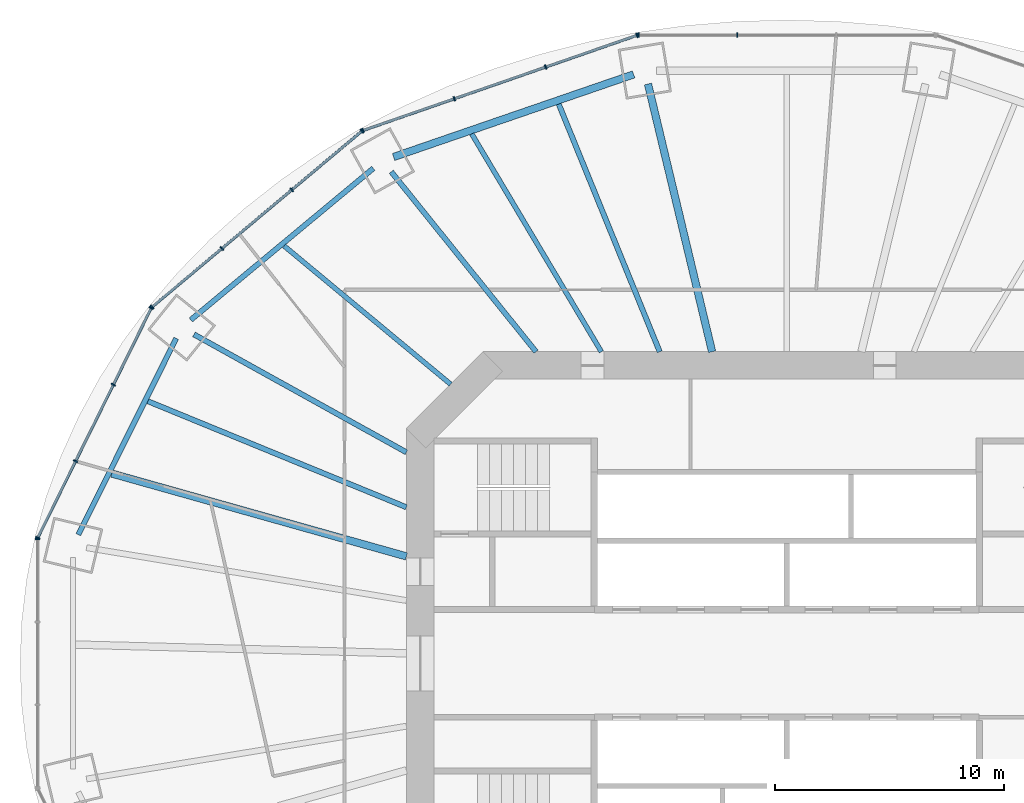
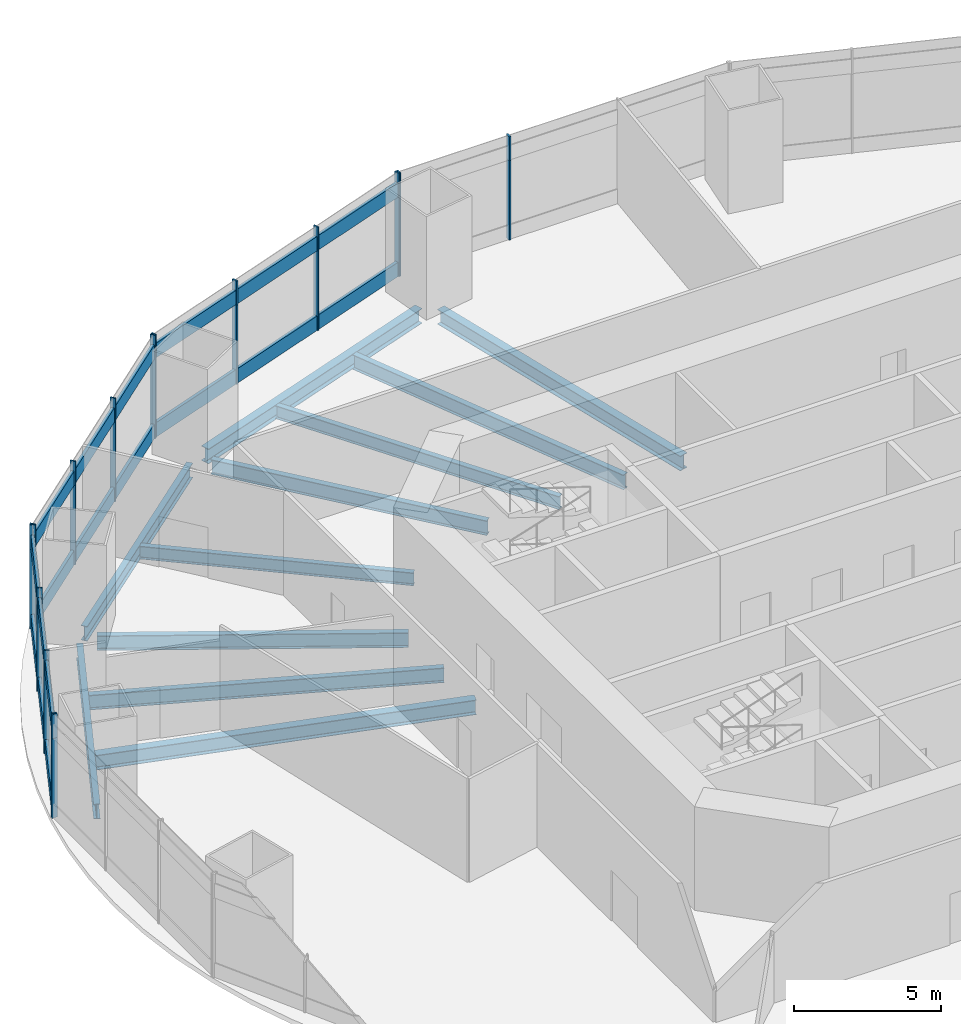
# One storey, part 6 of 17: 36 members, 11 beams, 10 elements without a shape of their own.
"""IFC4 building model written with IfcOpenShell, lengths in metres."""

from ifc_helpers import new_model, si_unit, direction, frame, origin, origin_2d, place, context, subcontext, project, spatial, rectangle, i_section, extrude, material, material_profile, profile_set, type_object, element, aggregate, save


model = new_model("IFC4")

# Units and contexts
model_context = context("Model", 3, precision=1e-05, world=origin(), true_north=direction((0.0, 1.0)))
body_context = subcontext(model_context, "Body", "Model", "MODEL_VIEW")
ifc_project = project(units=[si_unit("LENGTHUNIT", "METRE"), si_unit("AREAUNIT", "SQUARE_METRE"), si_unit("VOLUMEUNIT", "CUBIC_METRE"), si_unit("PLANEANGLEUNIT", "RADIAN"), si_unit("MASSUNIT", "GRAM", prefix="KILO")], contexts=[model_context])

# Site, building, storey
site_placement = place(None, origin())
site = spatial("IfcSite", under=ifc_project, at=site_placement, CompositionType="ELEMENT")
building_placement = place(site_placement, origin())
building = spatial("IfcBuilding", under=site, at=building_placement, Name="Marenthal Gate Tower", CompositionType="ELEMENT")
storey_placement = place(building_placement, frame((0.0, 0.0, 145.050048828125)))
storey = spatial("IfcBuildingStorey", under=building, at=storey_placement, Name="L31", CompositionType="ELEMENT", Elevation=145.050048828125)

# Curtain wall, members
ifc_material_1 = material(Name="Aluminium and glass", Category="aluminium")
curtain_wall_type_1 = type_object("IfcCurtainWallType", Name="Curtain wall amenity", PredefinedType="NOTDEFINED", material=ifc_material_1)
curtain_wall_1_placement = place(storey_placement, origin())
curtain_wall_1 = element("IfcCurtainWall", 1, at=curtain_wall_1_placement, inside=storey, type_object=curtain_wall_type_1, Name="Curtain wall L31 bay 4", PredefinedType="NOTDEFINED")
ifc_material_2 = material(Name="Aluminium", Category="aluminium")
ifc_material_profile_1 = material_profile(ifc_material_2, rectangle(XDim=0.199951171875, YDim=0.06005859375, at=origin_2d()), Name="60x200 aluminium mullion")
ifc_profile_set_1 = profile_set([ifc_material_profile_1], Name="Aluminium")
member_type_1 = type_object("IfcMemberType", Name="Mullion 60x200 amenity", PredefinedType="MULLION", material=ifc_profile_set_1)
member_1_placement = place(storey_placement, frame((-2.158203125, 27.419921875, 0.0), z_axis=(0.0, 0.0, 1.0), x_axis=(0.0, -1.0, 0.0)))
member_1 = element("IfcMember", 2, at=member_1_placement, type_object=member_type_1, Name="Mullion L31 bay 4.3", PredefinedType="MULLION", context=body_context, shape_type="SweptSolid", body=[
    extrude(rectangle(XDim=0.199951171875, YDim=0.06005859375, at=origin_2d()), origin(), (0.0, 0.0, 1.0), 3.300048828125),
])
member_2_placement = place(storey_placement, frame((-6.474609375, 27.419921875, 0.0), z_axis=(0.0, 0.0, 1.0), x_axis=(0.0, -1.0, 0.0)))
member_2 = element("IfcMember", 3, at=member_2_placement, type_object=member_type_1, Name="Mullion L31 bay 4.4", PredefinedType="MULLION", context=body_context, shape_type="SweptSolid", body=[
    extrude(rectangle(XDim=0.199951171875, YDim=0.06005859375, at=origin_2d()), origin(), (0.0, 0.0, 1.0), 3.300048828125),
])
aggregate(curtain_wall_1, [member_1, member_2])

curtain_wall_2_placement = place(storey_placement, origin())
curtain_wall_2 = element("IfcCurtainWall", 4, at=curtain_wall_2_placement, inside=storey, type_object=curtain_wall_type_1, Name="Curtain wall L31 bay 5", PredefinedType="NOTDEFINED")
member_3_placement = place(storey_placement, frame((-6.532958984375, 27.409912109375, 0.0), z_axis=(0.0, 0.0, 1.0), x_axis=(0.328088938475, -0.944646837951, 0.0)))
member_3 = element("IfcMember", 5, at=member_3_placement, type_object=member_type_1, Name="Mullion L31 bay 5.1", PredefinedType="MULLION", context=body_context, shape_type="SweptSolid", body=[
    extrude(rectangle(XDim=0.199951171875, YDim=0.06005859375, at=origin_2d()), origin(), (0.0, 0.0, 1.0), 3.300048828125),
])
member_4_placement = place(storey_placement, frame((-10.5205078125, 26.025146484375, 0.0), z_axis=(0.0, 0.0, 1.0), x_axis=(0.328088938475, -0.944646837951, 0.0)))
member_4 = element("IfcMember", 6, at=member_4_placement, type_object=member_type_1, Name="Mullion L31 bay 5.2", PredefinedType="MULLION", context=body_context, shape_type="SweptSolid", body=[
    extrude(rectangle(XDim=0.199951171875, YDim=0.06005859375, at=origin_2d()), origin(), (0.0, 0.0, 1.0), 3.300048828125),
])
member_5_placement = place(storey_placement, frame((-14.508056640625, 24.64013671875, 0.0), z_axis=(0.0, 0.0, 1.0), x_axis=(0.328088938475, -0.944646837951, 0.0)))
member_5 = element("IfcMember", 7, at=member_5_placement, type_object=member_type_1, Name="Mullion L31 bay 5.3", PredefinedType="MULLION", context=body_context, shape_type="SweptSolid", body=[
    extrude(rectangle(XDim=0.199951171875, YDim=0.06005859375, at=origin_2d()), origin(), (0.0, 0.0, 1.0), 3.300048828125),
])
member_6_placement = place(storey_placement, frame((-18.495361328125, 23.255126953125, 0.0), z_axis=(0.0, 0.0, 1.0), x_axis=(0.328088938475, -0.944646837951, 0.0)))
member_6 = element("IfcMember", 8, at=member_6_placement, type_object=member_type_1, Name="Mullion L31 bay 5.4", PredefinedType="MULLION", context=body_context, shape_type="SweptSolid", body=[
    extrude(rectangle(XDim=0.199951171875, YDim=0.06005859375, at=origin_2d()), origin(), (0.0, 0.0, 1.0), 3.300048828125),
])

curtain_wall_3_placement = place(storey_placement, origin())
curtain_wall_3 = element("IfcCurtainWall", 9, at=curtain_wall_3_placement, inside=storey, type_object=curtain_wall_type_1, Name="Curtain wall L31 bay 6", PredefinedType="NOTDEFINED")
member_7_placement = place(storey_placement, frame((-18.546875, 23.22607421875, 0.0), z_axis=(0.0, 0.0, 1.0), x_axis=(0.642510826857, -0.766276606305, 0.0)))
member_7 = element("IfcMember", 10, at=member_7_placement, type_object=member_type_1, Name="Mullion L31 bay 6.1", PredefinedType="MULLION", context=body_context, shape_type="SweptSolid", body=[
    extrude(rectangle(XDim=0.199951171875, YDim=0.06005859375, at=origin_2d()), origin(), (0.0, 0.0, 1.0), 3.300048828125),
])
member_8_placement = place(storey_placement, frame((-21.597900390625, 20.66796875, 0.0), z_axis=(0.0, 0.0, 1.0), x_axis=(0.642510826857, -0.766276606305, 0.0)))
member_8 = element("IfcMember", 11, at=member_8_placement, type_object=member_type_1, Name="Mullion L31 bay 6.2", PredefinedType="MULLION", context=body_context, shape_type="SweptSolid", body=[
    extrude(rectangle(XDim=0.199951171875, YDim=0.06005859375, at=origin_2d()), origin(), (0.0, 0.0, 1.0), 3.300048828125),
])
member_9_placement = place(storey_placement, frame((-24.64892578125, 18.109619140625, 0.0), z_axis=(0.0, 0.0, 1.0), x_axis=(0.642510826857, -0.766276606305, 0.0)))
member_9 = element("IfcMember", 12, at=member_9_placement, type_object=member_type_1, Name="Mullion L31 bay 6.3", PredefinedType="MULLION", context=body_context, shape_type="SweptSolid", body=[
    extrude(rectangle(XDim=0.199951171875, YDim=0.06005859375, at=origin_2d()), origin(), (0.0, 0.0, 1.0), 3.300048828125),
])
member_10_placement = place(storey_placement, frame((-27.699951171875, 15.551513671875, 0.0), z_axis=(0.0, 0.0, 1.0), x_axis=(0.642510826857, -0.766276606305, 0.0)))
member_10 = element("IfcMember", 13, at=member_10_placement, type_object=member_type_1, Name="Mullion L31 bay 6.4", PredefinedType="MULLION", context=body_context, shape_type="SweptSolid", body=[
    extrude(rectangle(XDim=0.199951171875, YDim=0.06005859375, at=origin_2d()), origin(), (0.0, 0.0, 1.0), 3.300048828125),
])

curtain_wall_4_placement = place(storey_placement, origin())
curtain_wall_4 = element("IfcCurtainWall", 14, at=curtain_wall_4_placement, inside=storey, type_object=curtain_wall_type_1, Name="Curtain wall L31 bay 7", PredefinedType="NOTDEFINED")
member_11_placement = place(storey_placement, frame((-27.736083984375, 15.505126953125, 0.0), z_axis=(0.0, 0.0, 1.0), x_axis=(0.896573265484, -0.442895449987, 0.0)))
member_11 = element("IfcMember", 15, at=member_11_placement, type_object=member_type_1, Name="Mullion L31 bay 7.1", PredefinedType="MULLION", context=body_context, shape_type="SweptSolid", body=[
    extrude(rectangle(XDim=0.199951171875, YDim=0.06005859375, at=origin_2d()), origin(), (0.0, 0.0, 1.0), 3.300048828125),
])
member_12_placement = place(storey_placement, frame((-29.38671875, 12.163818359375, 0.0), z_axis=(0.0, 0.0, 1.0), x_axis=(0.896573265484, -0.442895449987, 0.0)))
member_12 = element("IfcMember", 16, at=member_12_placement, type_object=member_type_1, Name="Mullion L31 bay 7.2", PredefinedType="MULLION", context=body_context, shape_type="SweptSolid", body=[
    extrude(rectangle(XDim=0.199951171875, YDim=0.06005859375, at=origin_2d()), origin(), (0.0, 0.0, 1.0), 3.300048828125),
])
member_13_placement = place(storey_placement, frame((-31.037353515625, 8.822509765625, 0.0), z_axis=(0.0, 0.0, 1.0), x_axis=(0.896573265484, -0.442895449987, 0.0)))
member_13 = element("IfcMember", 17, at=member_13_placement, type_object=member_type_1, Name="Mullion L31 bay 7.3", PredefinedType="MULLION", context=body_context, shape_type="SweptSolid", body=[
    extrude(rectangle(XDim=0.199951171875, YDim=0.06005859375, at=origin_2d()), origin(), (0.0, 0.0, 1.0), 3.300048828125),
])
member_14_placement = place(storey_placement, frame((-32.68798828125, 5.48095703125, 0.0), z_axis=(0.0, 0.0, 1.0), x_axis=(0.896573265484, -0.442895449987, 0.0)))
member_14 = element("IfcMember", 18, at=member_14_placement, type_object=member_type_1, Name="Mullion L31 bay 7.4", PredefinedType="MULLION", context=body_context, shape_type="SweptSolid", body=[
    extrude(rectangle(XDim=0.199951171875, YDim=0.06005859375, at=origin_2d()), origin(), (0.0, 0.0, 1.0), 3.300048828125),
])

# Curtain wall, member
curtain_wall_5_placement = place(storey_placement, origin())
curtain_wall_5 = element("IfcCurtainWall", 19, at=curtain_wall_5_placement, inside=storey, type_object=curtain_wall_type_1, Name="Curtain wall L31 bay 8", PredefinedType="NOTDEFINED")
member_15_placement = place(storey_placement, frame((-32.701416015625, 5.424072265625, 0.0), z_axis=(0.0, 0.0, 1.0), x_axis=(1.0, 0.0, 0.0)))
member_15 = element("IfcMember", 20, at=member_15_placement, type_object=member_type_1, Name="Mullion L31 bay 8.1", PredefinedType="MULLION", context=body_context, shape_type="SweptSolid", body=[
    extrude(rectangle(XDim=0.199951171875, YDim=0.06005859375, at=origin_2d()), origin(), (0.0, 0.0, 1.0), 3.300048828125),
])
aggregate(curtain_wall_5, [member_15])

# Curtain wall, members
ifc_material_3 = material(Name="Aluminium and glass", Category="aluminium")
curtain_wall_type_2 = type_object("IfcCurtainWallType", Name="Curtain wall crown clad", PredefinedType="NOTDEFINED", material=ifc_material_3)
curtain_wall_6_placement = place(storey_placement, origin())
curtain_wall_6 = element("IfcCurtainWall", 21, at=curtain_wall_6_placement, inside=storey, type_object=curtain_wall_type_2, Name="Curtain wall L31 bay 4 head band", PredefinedType="NOTDEFINED")
ifc_material_4 = material(Name="Aluminium", Category="aluminium")
ifc_material_profile_2 = material_profile(ifc_material_4, rectangle(XDim=0.199951171875, YDim=0.06005859375, at=origin_2d()), Name="60x200 aluminium mullion")
ifc_profile_set_2 = profile_set([ifc_material_profile_2], Name="Aluminium")
member_type_2 = type_object("IfcMemberType", Name="Mullion 60x200 crown clad", PredefinedType="MULLION", material=ifc_profile_set_2)
member_16_placement = place(storey_placement, frame((-2.158203125, 27.419921875, 3.300048828125), z_axis=(0.0, 0.0, 1.0), x_axis=(0.0, -1.0, 0.0)))
member_16 = element("IfcMember", 22, at=member_16_placement, type_object=member_type_2, Name="Mullion L31 bay 4.3", PredefinedType="MULLION", context=body_context, shape_type="SweptSolid", body=[
    extrude(rectangle(XDim=0.199951171875, YDim=0.06005859375, at=origin_2d()), origin(), (0.0, 0.0, 1.0), 1.0),
])
member_17_placement = place(storey_placement, frame((-6.474609375, 27.419921875, 3.300048828125), z_axis=(0.0, 0.0, 1.0), x_axis=(0.0, -1.0, 0.0)))
member_17 = element("IfcMember", 23, at=member_17_placement, type_object=member_type_2, Name="Mullion L31 bay 4.4", PredefinedType="MULLION", context=body_context, shape_type="SweptSolid", body=[
    extrude(rectangle(XDim=0.199951171875, YDim=0.06005859375, at=origin_2d()), origin(), (0.0, 0.0, 1.0), 1.0),
])
aggregate(curtain_wall_6, [member_16, member_17])

curtain_wall_7_placement = place(storey_placement, origin())
curtain_wall_7 = element("IfcCurtainWall", 24, at=curtain_wall_7_placement, inside=storey, type_object=curtain_wall_type_2, Name="Curtain wall L31 bay 5 head band", PredefinedType="NOTDEFINED")
member_18_placement = place(storey_placement, frame((-6.532958984375, 27.409912109375, 3.300048828125), z_axis=(0.0, 0.0, 1.0), x_axis=(0.328088938475, -0.944646837951, 0.0)))
member_18 = element("IfcMember", 25, at=member_18_placement, type_object=member_type_2, Name="Mullion L31 bay 5.1", PredefinedType="MULLION", context=body_context, shape_type="SweptSolid", body=[
    extrude(rectangle(XDim=0.199951171875, YDim=0.06005859375, at=origin_2d()), origin(), (0.0, 0.0, 1.0), 1.0),
])
member_19_placement = place(storey_placement, frame((-10.5205078125, 26.025146484375, 3.300048828125), z_axis=(0.0, 0.0, 1.0), x_axis=(0.328088938475, -0.944646837951, 0.0)))
member_19 = element("IfcMember", 26, at=member_19_placement, type_object=member_type_2, Name="Mullion L31 bay 5.2", PredefinedType="MULLION", context=body_context, shape_type="SweptSolid", body=[
    extrude(rectangle(XDim=0.199951171875, YDim=0.06005859375, at=origin_2d()), origin(), (0.0, 0.0, 1.0), 1.0),
])
member_20_placement = place(storey_placement, frame((-14.508056640625, 24.64013671875, 3.300048828125), z_axis=(0.0, 0.0, 1.0), x_axis=(0.328088938475, -0.944646837951, 0.0)))
member_20 = element("IfcMember", 27, at=member_20_placement, type_object=member_type_2, Name="Mullion L31 bay 5.3", PredefinedType="MULLION", context=body_context, shape_type="SweptSolid", body=[
    extrude(rectangle(XDim=0.199951171875, YDim=0.06005859375, at=origin_2d()), origin(), (0.0, 0.0, 1.0), 1.0),
])
member_21_placement = place(storey_placement, frame((-18.495361328125, 23.255126953125, 3.300048828125), z_axis=(0.0, 0.0, 1.0), x_axis=(0.328088938475, -0.944646837951, 0.0)))
member_21 = element("IfcMember", 28, at=member_21_placement, type_object=member_type_2, Name="Mullion L31 bay 5.4", PredefinedType="MULLION", context=body_context, shape_type="SweptSolid", body=[
    extrude(rectangle(XDim=0.199951171875, YDim=0.06005859375, at=origin_2d()), origin(), (0.0, 0.0, 1.0), 1.0),
])

curtain_wall_8_placement = place(storey_placement, origin())
curtain_wall_8 = element("IfcCurtainWall", 29, at=curtain_wall_8_placement, inside=storey, type_object=curtain_wall_type_2, Name="Curtain wall L31 bay 6 head band", PredefinedType="NOTDEFINED")
member_22_placement = place(storey_placement, frame((-18.546875, 23.22607421875, 3.300048828125), z_axis=(0.0, 0.0, 1.0), x_axis=(0.642510826857, -0.766276606305, 0.0)))
member_22 = element("IfcMember", 30, at=member_22_placement, type_object=member_type_2, Name="Mullion L31 bay 6.1", PredefinedType="MULLION", context=body_context, shape_type="SweptSolid", body=[
    extrude(rectangle(XDim=0.199951171875, YDim=0.06005859375, at=origin_2d()), origin(), (0.0, 0.0, 1.0), 1.0),
])
member_23_placement = place(storey_placement, frame((-21.597900390625, 20.66796875, 3.300048828125), z_axis=(0.0, 0.0, 1.0), x_axis=(0.642510826857, -0.766276606305, 0.0)))
member_23 = element("IfcMember", 31, at=member_23_placement, type_object=member_type_2, Name="Mullion L31 bay 6.2", PredefinedType="MULLION", context=body_context, shape_type="SweptSolid", body=[
    extrude(rectangle(XDim=0.199951171875, YDim=0.06005859375, at=origin_2d()), origin(), (0.0, 0.0, 1.0), 1.0),
])
member_24_placement = place(storey_placement, frame((-24.64892578125, 18.109619140625, 3.300048828125), z_axis=(0.0, 0.0, 1.0), x_axis=(0.642510826857, -0.766276606305, 0.0)))
member_24 = element("IfcMember", 32, at=member_24_placement, type_object=member_type_2, Name="Mullion L31 bay 6.3", PredefinedType="MULLION", context=body_context, shape_type="SweptSolid", body=[
    extrude(rectangle(XDim=0.199951171875, YDim=0.06005859375, at=origin_2d()), origin(), (0.0, 0.0, 1.0), 1.0),
])
member_25_placement = place(storey_placement, frame((-27.699951171875, 15.551513671875, 3.300048828125), z_axis=(0.0, 0.0, 1.0), x_axis=(0.642510826857, -0.766276606305, 0.0)))
member_25 = element("IfcMember", 33, at=member_25_placement, type_object=member_type_2, Name="Mullion L31 bay 6.4", PredefinedType="MULLION", context=body_context, shape_type="SweptSolid", body=[
    extrude(rectangle(XDim=0.199951171875, YDim=0.06005859375, at=origin_2d()), origin(), (0.0, 0.0, 1.0), 1.0),
])

curtain_wall_9_placement = place(storey_placement, origin())
curtain_wall_9 = element("IfcCurtainWall", 34, at=curtain_wall_9_placement, inside=storey, type_object=curtain_wall_type_2, Name="Curtain wall L31 bay 7 head band", PredefinedType="NOTDEFINED")
member_26_placement = place(storey_placement, frame((-27.736083984375, 15.505126953125, 3.300048828125), z_axis=(0.0, 0.0, 1.0), x_axis=(0.896573265484, -0.442895449987, 0.0)))
member_26 = element("IfcMember", 35, at=member_26_placement, type_object=member_type_2, Name="Mullion L31 bay 7.1", PredefinedType="MULLION", context=body_context, shape_type="SweptSolid", body=[
    extrude(rectangle(XDim=0.199951171875, YDim=0.06005859375, at=origin_2d()), origin(), (0.0, 0.0, 1.0), 1.0),
])
member_27_placement = place(storey_placement, frame((-29.38671875, 12.163818359375, 3.300048828125), z_axis=(0.0, 0.0, 1.0), x_axis=(0.896573265484, -0.442895449987, 0.0)))
member_27 = element("IfcMember", 36, at=member_27_placement, type_object=member_type_2, Name="Mullion L31 bay 7.2", PredefinedType="MULLION", context=body_context, shape_type="SweptSolid", body=[
    extrude(rectangle(XDim=0.199951171875, YDim=0.06005859375, at=origin_2d()), origin(), (0.0, 0.0, 1.0), 1.0),
])
member_28_placement = place(storey_placement, frame((-31.037353515625, 8.822509765625, 3.300048828125), z_axis=(0.0, 0.0, 1.0), x_axis=(0.896573265484, -0.442895449987, 0.0)))
member_28 = element("IfcMember", 37, at=member_28_placement, type_object=member_type_2, Name="Mullion L31 bay 7.3", PredefinedType="MULLION", context=body_context, shape_type="SweptSolid", body=[
    extrude(rectangle(XDim=0.199951171875, YDim=0.06005859375, at=origin_2d()), origin(), (0.0, 0.0, 1.0), 1.0),
])
member_29_placement = place(storey_placement, frame((-32.68798828125, 5.48095703125, 3.300048828125), z_axis=(0.0, 0.0, 1.0), x_axis=(0.896573265484, -0.442895449987, 0.0)))
member_29 = element("IfcMember", 38, at=member_29_placement, type_object=member_type_2, Name="Mullion L31 bay 7.4", PredefinedType="MULLION", context=body_context, shape_type="SweptSolid", body=[
    extrude(rectangle(XDim=0.199951171875, YDim=0.06005859375, at=origin_2d()), origin(), (0.0, 0.0, 1.0), 1.0),
])

# Curtain wall, member
curtain_wall_10_placement = place(storey_placement, origin())
curtain_wall_10 = element("IfcCurtainWall", 39, at=curtain_wall_10_placement, inside=storey, type_object=curtain_wall_type_2, Name="Curtain wall L31 bay 8 head band", PredefinedType="NOTDEFINED")
member_30_placement = place(storey_placement, frame((-32.701416015625, 5.424072265625, 3.300048828125), z_axis=(0.0, 0.0, 1.0), x_axis=(1.0, 0.0, 0.0)))
member_30 = element("IfcMember", 40, at=member_30_placement, type_object=member_type_2, Name="Mullion L31 bay 8.1", PredefinedType="MULLION", context=body_context, shape_type="SweptSolid", body=[
    extrude(rectangle(XDim=0.199951171875, YDim=0.06005859375, at=origin_2d()), origin(), (0.0, 0.0, 1.0), 1.0),
])
aggregate(curtain_wall_10, [member_30])

# Member
ifc_material_5 = material(Name="Aluminium", Category="aluminium")
ifc_material_profile_3 = material_profile(ifc_material_5, rectangle(XDim=0.1201171875, YDim=0.60009765625, at=origin_2d()), Name="120x600 aluminium transom")
ifc_profile_set_3 = profile_set([ifc_material_profile_3], Name="Aluminium")
member_type_3 = type_object("IfcMemberType", Name="Transom 120x600 amenity", PredefinedType="USERDEFINED", material=ifc_profile_set_3)
member_31_placement = place(storey_placement, frame((-6.561279296875, 27.400146484375, 0.300048828125), z_axis=(-0.944647484164, -0.328087077867, 0.0), x_axis=(0.328087077867, -0.944647484164, 0.0)))
member_31 = element("IfcMember", 41, at=member_31_placement, type_object=member_type_3, Name="Transom L31 bay 5", ObjectType="TRANSOM", PredefinedType="USERDEFINED", context=body_context, shape_type="SweptSolid", body=[
    extrude(rectangle(XDim=0.1201171875, YDim=0.60009765625, at=origin_2d()), origin(), (0.0, 0.0, 1.0), 12.603271484375),
])

aggregate(curtain_wall_2, [member_3, member_4, member_5, member_6, member_31])

member_32_placement = place(storey_placement, frame((-18.56982421875, 23.206787109375, 0.300048828125), z_axis=(-0.76627636454, -0.642511115194, 0.0), x_axis=(0.642511115194, -0.76627636454, 0.0)))
member_32 = element("IfcMember", 42, at=member_32_placement, type_object=member_type_3, Name="Transom L31 bay 6", ObjectType="TRANSOM", PredefinedType="USERDEFINED", context=body_context, shape_type="SweptSolid", body=[
    extrude(rectangle(XDim=0.1201171875, YDim=0.60009765625, at=origin_2d()), origin(), (0.0, 0.0, 1.0), 11.885009765625),
])

aggregate(curtain_wall_3, [member_7, member_8, member_9, member_10, member_32])

member_33_placement = place(storey_placement, frame((-27.74951171875, 15.478271484375, 0.300048828125), z_axis=(-0.442896665934, -0.896572664821, 0.0), x_axis=(0.896572664821, -0.442896665934, 0.0)))
member_33 = element("IfcMember", 43, at=member_33_placement, type_object=member_type_3, Name="Transom L31 bay 7", ObjectType="TRANSOM", PredefinedType="USERDEFINED", context=body_context, shape_type="SweptSolid", body=[
    extrude(rectangle(XDim=0.1201171875, YDim=0.60009765625, at=origin_2d()), origin(), (0.0, 0.0, 1.0), 11.12060546875),
])

aggregate(curtain_wall_4, [member_11, member_12, member_13, member_14, member_33])

ifc_material_6 = material(Name="Aluminium", Category="aluminium")
ifc_material_profile_4 = material_profile(ifc_material_6, rectangle(XDim=0.1201171875, YDim=0.60009765625, at=origin_2d()), Name="120x600 aluminium transom")
ifc_profile_set_4 = profile_set([ifc_material_profile_4], Name="Aluminium")
member_type_4 = type_object("IfcMemberType", Name="Transom 120x600 crown clad", PredefinedType="USERDEFINED", material=ifc_profile_set_4)
member_34_placement = place(storey_placement, frame((-6.561279296875, 27.400146484375, 3.599853515625), z_axis=(-0.944647484164, -0.328087077867, 0.0), x_axis=(0.328087077867, -0.944647484164, 0.0)))
member_34 = element("IfcMember", 44, at=member_34_placement, type_object=member_type_4, Name="Transom L31 bay 5", ObjectType="TRANSOM", PredefinedType="USERDEFINED", context=body_context, shape_type="SweptSolid", body=[
    extrude(rectangle(XDim=0.1201171875, YDim=0.60009765625, at=origin_2d()), origin(), (0.0, 0.0, 1.0), 12.603271484375),
])

aggregate(curtain_wall_7, [member_18, member_19, member_20, member_21, member_34])

member_35_placement = place(storey_placement, frame((-18.56982421875, 23.206787109375, 3.599853515625), z_axis=(-0.76627636454, -0.642511115194, 0.0), x_axis=(0.642511115194, -0.76627636454, 0.0)))
member_35 = element("IfcMember", 45, at=member_35_placement, type_object=member_type_4, Name="Transom L31 bay 6", ObjectType="TRANSOM", PredefinedType="USERDEFINED", context=body_context, shape_type="SweptSolid", body=[
    extrude(rectangle(XDim=0.1201171875, YDim=0.60009765625, at=origin_2d()), origin(), (0.0, 0.0, 1.0), 11.885009765625),
])

aggregate(curtain_wall_8, [member_22, member_23, member_24, member_25, member_35])

member_36_placement = place(storey_placement, frame((-27.74951171875, 15.478271484375, 3.599853515625), z_axis=(-0.442896665934, -0.896572664821, 0.0), x_axis=(0.896572664821, -0.442896665934, 0.0)))
member_36 = element("IfcMember", 46, at=member_36_placement, type_object=member_type_4, Name="Transom L31 bay 7", ObjectType="TRANSOM", PredefinedType="USERDEFINED", context=body_context, shape_type="SweptSolid", body=[
    extrude(rectangle(XDim=0.1201171875, YDim=0.60009765625, at=origin_2d()), origin(), (0.0, 0.0, 1.0), 11.12060546875),
])

aggregate(curtain_wall_9, [member_26, member_27, member_28, member_29, member_36])

# Beams
ifc_material_7 = material(Name="Steel S355", Category="steel")
ifc_material_profile_5 = material_profile(ifc_material_7, i_section(OverallWidth=0.2099609375, OverallDepth=0.535888671875, WebThickness=0.010986328125, FlangeThickness=0.017333984375, FilletRadius=0.0126953125, at=origin_2d()), Name="W530X101")
ifc_profile_set_5 = profile_set([ifc_material_profile_5], Name="Steel S355")
beam_type_1 = type_object("IfcBeamType", Name="W530X101 beam", PredefinedType="BEAM", material=ifc_profile_set_5)
beam_1_placement = place(storey_placement, frame((-21.93798828125, 18.218505859375, -0.468017578125), z_axis=(0.769321242726, -0.638862133399, 0.0), x_axis=(0.638862133399, 0.769321242726, 0.0)))
element("IfcBeam", 47, at=beam_1_placement, inside=storey, type_object=beam_type_1, Name="BM-L31-25", PredefinedType="BEAM", context=body_context, shape_type="SweptSolid", body=[
    extrude(i_section(OverallWidth=0.2099609375, OverallDepth=0.535888671875, WebThickness=0.010986328125, FlangeThickness=0.017333984375, FilletRadius=0.0126953125, at=origin_2d()), origin(), (0.0, 0.0, 1.0), 9.450439453125),
])
ifc_material_8 = material(Name="Steel S355", Category="steel")
ifc_material_profile_6 = material_profile(ifc_material_8, i_section(OverallWidth=0.2119140625, OverallDepth=0.5439453125, WebThickness=0.01318359375, FlangeThickness=0.021240234375, FilletRadius=0.0126953125, at=origin_2d()), Name="W530X123")
ifc_profile_set_6 = profile_set([ifc_material_profile_6], Name="Steel S355")
beam_type_2 = type_object("IfcBeamType", Name="W530X123 beam", PredefinedType="BEAM", material=ifc_profile_set_6)
beam_2_placement = place(storey_placement, frame((-13.74462890625, 23.101806640625, -0.47216796875), z_axis=(0.511319639354, -0.859390613406, 0.0), x_axis=(0.859390613406, 0.511319639354, 0.0)))
element("IfcBeam", 48, at=beam_2_placement, inside=storey, type_object=beam_type_2, Name="BM-L31-24", PredefinedType="BEAM", context=body_context, shape_type="SweptSolid", body=[
    extrude(i_section(OverallWidth=0.2119140625, OverallDepth=0.5439453125, WebThickness=0.01318359375, FlangeThickness=0.021240234375, FilletRadius=0.0126953125, at=origin_2d()), origin(), (0.0, 0.0, 1.0), 11.056396484375),
])
ifc_material_9 = material(Name="Steel S355", Category="steel")
ifc_material_profile_7 = material_profile(ifc_material_9, i_section(OverallWidth=0.22900390625, OverallDepth=0.612060546875, WebThickness=0.011962890625, FlangeThickness=0.01953125, FilletRadius=0.0126953125, at=origin_2d()), Name="W610X125")
ifc_profile_set_7 = profile_set([ifc_material_profile_7], Name="Steel S355")
beam_type_3 = type_object("IfcBeamType", Name="W610X125 beam", PredefinedType="BEAM", material=ifc_profile_set_7)
beam_3_placement = place(storey_placement, frame((-17.259521484375, 21.45166015625, -0.506103515625), z_axis=(0.6268641657, -0.77912856305, 0.0), x_axis=(0.77912856305, 0.6268641657, 0.0)))
element("IfcBeam", 49, at=beam_3_placement, inside=storey, type_object=beam_type_3, Name="BM-L31-06", PredefinedType="BEAM", context=body_context, shape_type="SweptSolid", body=[
    extrude(i_section(OverallWidth=0.22900390625, OverallDepth=0.612060546875, WebThickness=0.011962890625, FlangeThickness=0.01953125, FilletRadius=0.0126953125, at=origin_2d()), origin(), (0.0, 0.0, 1.0), 10.077392578125),
])
beam_4_placement = place(storey_placement, frame((-25.8701171875, 14.355224609375, -0.506103515625), z_axis=(0.874396146379, -0.485212715412, 0.0), x_axis=(0.485212715412, 0.874396146379, 0.0)))
element("IfcBeam", 50, at=beam_4_placement, inside=storey, type_object=beam_type_3, Name="BM-L31-07", PredefinedType="BEAM", context=body_context, shape_type="SweptSolid", body=[
    extrude(i_section(OverallWidth=0.22900390625, OverallDepth=0.612060546875, WebThickness=0.011962890625, FlangeThickness=0.01953125, FilletRadius=0.0126953125, at=origin_2d()), origin(), (0.0, 0.0, 1.0), 10.6015625),
])
beam_5_placement = place(storey_placement, frame((-9.951416015625, 24.406494140625, -0.506103515625), z_axis=(0.377546734529, -0.925990530862, 0.0), x_axis=(0.925990530862, 0.377546734529, 0.0)))
element("IfcBeam", 51, at=beam_5_placement, inside=storey, type_object=beam_type_3, Name="BM-L31-23", PredefinedType="BEAM", context=body_context, shape_type="SweptSolid", body=[
    extrude(i_section(OverallWidth=0.22900390625, OverallDepth=0.612060546875, WebThickness=0.011962890625, FlangeThickness=0.01953125, FilletRadius=0.0126953125, at=origin_2d()), origin(), (0.0, 0.0, 1.0), 11.670166015625),
])
beam_6_placement = place(storey_placement, frame((-27.8837890625, 11.441162109375, -0.506103515625), z_axis=(0.925149152046, -0.379603801969, 0.0), x_axis=(0.379603801969, 0.925149152046, 0.0)))
element("IfcBeam", 52, at=beam_6_placement, inside=storey, type_object=beam_type_3, Name="BM-L31-26", PredefinedType="BEAM", context=body_context, shape_type="SweptSolid", body=[
    extrude(i_section(OverallWidth=0.22900390625, OverallDepth=0.612060546875, WebThickness=0.011962890625, FlangeThickness=0.01953125, FilletRadius=0.0126953125, at=origin_2d()), origin(), (0.0, 0.0, 1.0), 12.196533203125),
])
beam_7_placement = place(storey_placement, frame((-18.044189453125, 21.60107421875, -0.506103515625), z_axis=(-0.769308410826, -0.638877585326, 0.0), x_axis=(0.638877585326, -0.769308410826, 0.0)))
element("IfcBeam", 53, at=beam_7_placement, inside=storey, type_object=beam_type_3, Name="BM-L31-46", PredefinedType="BEAM", context=body_context, shape_type="SweptSolid", body=[
    extrude(i_section(OverallWidth=0.22900390625, OverallDepth=0.612060546875, WebThickness=0.011962890625, FlangeThickness=0.01953125, FilletRadius=0.0126953125, at=origin_2d()), origin(), (0.0, 0.0, 1.0), 10.35302734375),
])
beam_8_placement = place(storey_placement, frame((-26.642578125, 14.185791015625, -0.506103515625), z_axis=(-0.446356728124, -0.89485511188, 0.0), x_axis=(0.89485511188, -0.446356728124, 0.0)))
element("IfcBeam", 54, at=beam_8_placement, inside=storey, type_object=beam_type_3, Name="BM-L31-47", PredefinedType="BEAM", context=body_context, shape_type="SweptSolid", body=[
    extrude(i_section(OverallWidth=0.22900390625, OverallDepth=0.612060546875, WebThickness=0.011962890625, FlangeThickness=0.01953125, FilletRadius=0.0126953125, at=origin_2d()), origin(), (0.0, 0.0, 1.0), 9.57568359375),
])
ifc_material_10 = material(Name="Steel S355", Category="steel")
ifc_material_profile_8 = material_profile(ifc_material_10, i_section(OverallWidth=0.324951171875, OverallDepth=0.612060546875, WebThickness=0.0126953125, FlangeThickness=0.01904296875, FilletRadius=0.0126953125, at=origin_2d()), Name="W610X155")
ifc_profile_set_8 = profile_set([ifc_material_profile_8], Name="Steel S355")
beam_type_4 = type_object("IfcBeamType", Name="W610X155 beam", PredefinedType="BEAM", material=ifc_profile_set_8)
beam_9_placement = place(storey_placement, frame((-6.05615234375, 25.283935546875, -0.506103515625), z_axis=(0.232937154271, -0.972491790279, 0.0), x_axis=(0.972491790279, 0.232937154271, 0.0)))
element("IfcBeam", 55, at=beam_9_placement, inside=storey, type_object=beam_type_4, Name="BM-L31-05", PredefinedType="BEAM", context=body_context, shape_type="SweptSolid", body=[
    extrude(i_section(OverallWidth=0.324951171875, OverallDepth=0.612060546875, WebThickness=0.0126953125, FlangeThickness=0.01904296875, FilletRadius=0.0126953125, at=origin_2d()), origin(), (0.0, 0.0, 1.0), 12.014404296875),
])
beam_10_placement = place(storey_placement, frame((-29.45849609375, 8.28369140625, -0.506103515625), z_axis=(0.962664635001, -0.270696879402, 0.0), x_axis=(0.270696879402, 0.962664635001, 0.0)))
element("IfcBeam", 56, at=beam_10_placement, inside=storey, type_object=beam_type_4, Name="BM-L31-27", PredefinedType="BEAM", context=body_context, shape_type="SweptSolid", body=[
    extrude(i_section(OverallWidth=0.324951171875, OverallDepth=0.612060546875, WebThickness=0.0126953125, FlangeThickness=0.01904296875, FilletRadius=0.0126953125, at=origin_2d()), origin(), (0.0, 0.0, 1.0), 13.357177734375),
])
beam_11_placement = place(storey_placement, frame((-6.682861328125, 25.702880859375, -0.506103515625), z_axis=(-0.945616285836, -0.325284244871, 0.0), x_axis=(0.325284244871, -0.945616285836, 0.0)))
element("IfcBeam", 57, at=beam_11_placement, inside=storey, type_object=beam_type_4, Name="BM-L31-45", PredefinedType="BEAM", context=body_context, shape_type="SweptSolid", body=[
    extrude(i_section(OverallWidth=0.324951171875, OverallDepth=0.612060546875, WebThickness=0.0126953125, FlangeThickness=0.01904296875, FilletRadius=0.0126953125, at=origin_2d()), origin(), (0.0, 0.0, 1.0), 11.078125),
])

save(model, "model.ifc")
